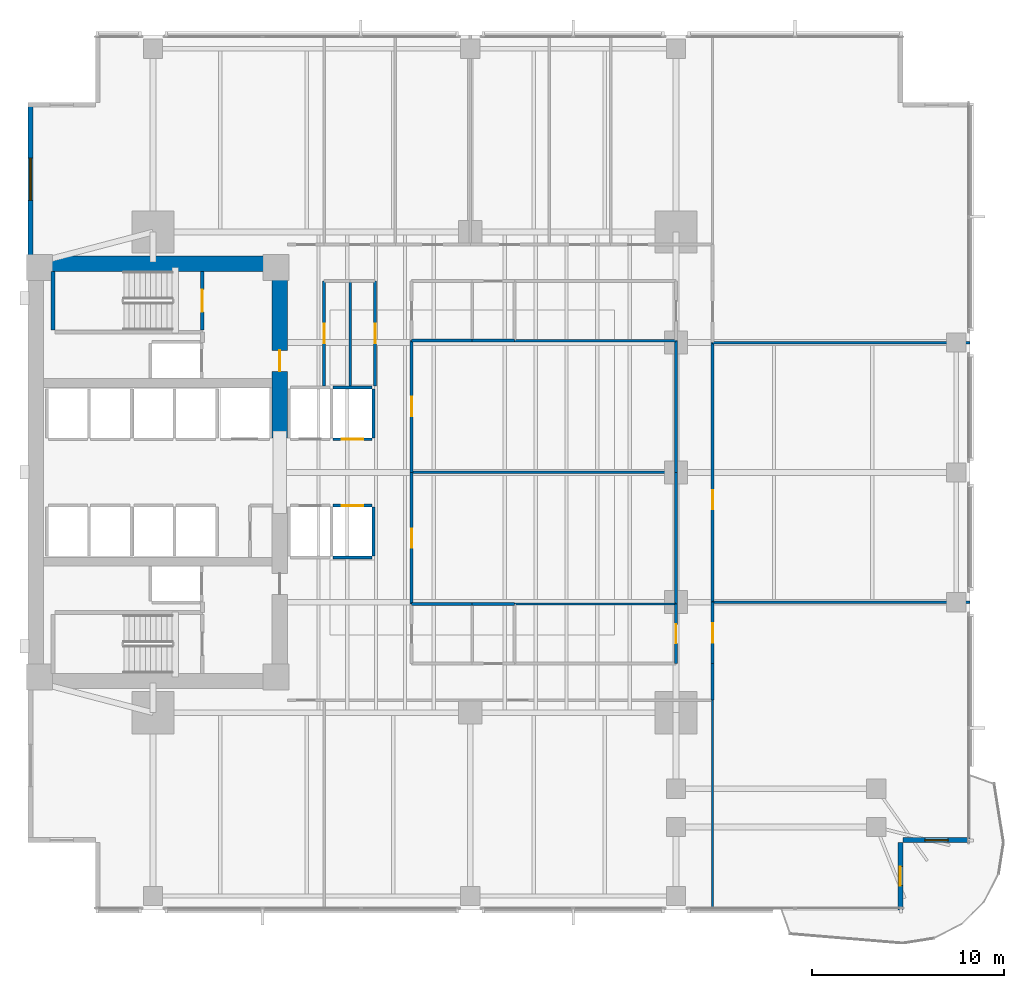
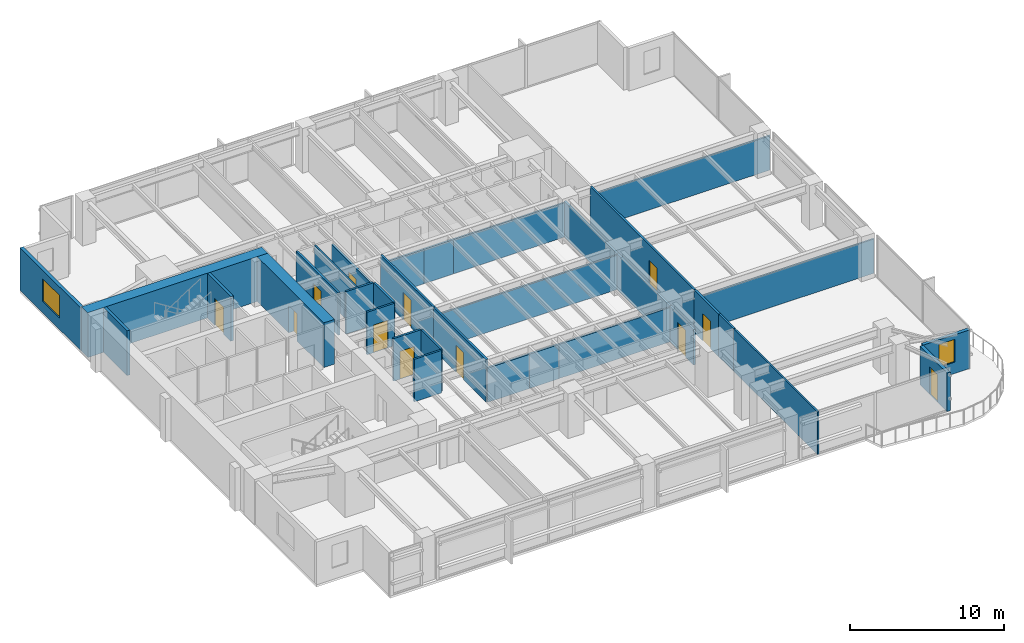
# One storey, part 9 of 15: 34 walls, 12 doors, 2 windows, 14 openings.
"""IFC4 building model written with IfcOpenShell, lengths in metres."""

from ifc_helpers import new_model, si_unit, direction, frame, frame_2d, origin, place, context, subcontext, project, spatial, rectangle, extrude, material, layer, layer_set, type_object, element, fill, save


model = new_model("IFC4")

# Units and contexts
model_context = context("Model", 3, precision=1e-05, world=origin(), true_north=direction((0.0, 1.0)))
body_context = subcontext(model_context, "Body", "Model", "MODEL_VIEW")
ifc_project = project(units=[si_unit("LENGTHUNIT", "METRE"), si_unit("AREAUNIT", "SQUARE_METRE"), si_unit("VOLUMEUNIT", "CUBIC_METRE"), si_unit("PLANEANGLEUNIT", "RADIAN"), si_unit("MASSUNIT", "GRAM", prefix="KILO")], contexts=[model_context])

# Site, building, storey
site_placement = place(None, origin())
site = spatial("IfcSite", under=ifc_project, at=site_placement, CompositionType="ELEMENT")
building_placement = place(site_placement, origin())
building = spatial("IfcBuilding", under=site, at=building_placement, Name="Kinhvarn Gate Tower", CompositionType="ELEMENT")
storey_placement = place(building_placement, frame((0.0, 0.0, 54.0)))
storey = spatial("IfcBuildingStorey", under=building, at=storey_placement, Name="L13", CompositionType="ELEMENT", Elevation=54.0)

# Wall
ifc_material_1 = material(Name="Concrete C70/85", Category="concrete")
ifc_layer_1 = layer(ifc_material_1, 0.800048828125)
ifc_layer_set_1 = layer_set([ifc_layer_1], Name="Concrete C70/85")
wall_type_1 = type_object("IfcWallType", Name="WL-CORE-800", PredefinedType="SHEAR", material=ifc_layer_set_1)
wall_1_placement = place(storey_placement, frame((4.5, 36.10009765625, 0.0), z_axis=(0.0, 0.0, 1.0), x_axis=(1.0, 0.0, 0.0)))
element("IfcWall", 1, at=wall_1_placement, inside=storey, type_object=wall_type_1, Name="Core North Shear Wall L13 800 mm", PredefinedType="SHEAR", context=body_context, shape_type="SweptSolid", body=[
    extrude(rectangle(XDim=13.5, YDim=0.800048828125, at=frame_2d((6.75, 0.0))), origin(), (0.0, 0.0, 1.0), 3.550048828125),
])

# Wall, opening, door
wall_2_placement = place(storey_placement, frame((17.60009765625, 27.050048828125, 0.0), z_axis=(0.0, 0.0, 1.0), x_axis=(0.0, 1.0, 0.0)))
wall_2 = element("IfcWall", 2, at=wall_2_placement, inside=storey, type_object=wall_type_1, Name="Core East-North Shear Pier L13 800 mm", PredefinedType="SHEAR", context=body_context, shape_type="SweptSolid", body=[
    extrude(rectangle(XDim=8.64990234375, YDim=0.800048828125, at=frame_2d((4.324951171875, 0.0))), origin(), (0.0, 0.0, 1.0), 3.550048828125),
])
opening_1_placement = place(wall_2_placement, frame((3.449951171875, 0.0, 0.0)))
opening_1 = element("IfcOpeningElement", 3, at=opening_1_placement, cuts=wall_2, Name="Opening FD-02", PredefinedType="OPENING", context=body_context, shape_type="SweptSolid", body=[
    extrude(rectangle(XDim=1.10009765625, YDim=2.14990234375, at=frame_2d((0.550048828125, 1.074951171875))), frame((0.0, 0.41015625, 0.0), z_axis=(0.0, -1.0, 0.0), x_axis=(1.0, 0.0, 0.0)), (0.0, 0.0, 1.0), 0.820068359375),
])
ifc_material_2 = material(Name="Anodised aluminium AW-6063", Category="aluminium")
door_type_1 = type_object("IfcDoorType", Name="DR-FD-1100", OperationType="NOTDEFINED", PredefinedType="DOOR", material=ifc_material_2)
door_1_placement = place(opening_1_placement, origin())
door_1 = element("IfcDoor", 4, at=door_1_placement, inside=storey, type_object=door_type_1, Name="Firefighting Lobby Core Door (L13)", OperationType="SINGLE_SWING_LEFT", OverallHeight=2.14990234375, OverallWidth=1.10009765625, PredefinedType="DOOR", context=body_context, shape_type="SweptSolid", body=[
    extrude(rectangle(XDim=1.10009765625, YDim=2.14990234375, at=frame_2d((0.550048828125, 1.074951171875))), frame((0.0, 0.02490234375, 0.0), z_axis=(0.0, -1.0, 0.0), x_axis=(1.0, 0.0, 0.0)), (0.0, 0.0, 1.0), 0.050048828125),
])
fill(opening_1, door_1)

# Wall, opening, window
ifc_material_3 = material(Name="Fired architectural terracotta", Category="masonry")
ifc_layer_2 = layer(ifc_material_3, 0.25)
ifc_layer_set_2 = layer_set([ifc_layer_2], Name="Fired architectural terracotta")
wall_type_2 = type_object("IfcWallType", Name="WL-EXT-250", PredefinedType="SOLIDWALL", material=ifc_layer_set_2)
wall_3_placement = place(storey_placement, frame((4.625, 44.5, 0.0), z_axis=(0.0, 0.0, 1.0), x_axis=(0.0, -1.0, 0.0)))
wall_3 = element("IfcWall", 5, at=wall_3_placement, inside=storey, type_object=wall_type_2, Name="Exterior Solidwall Wall EW-250 (L13 West-North)", PredefinedType="SOLIDWALL", context=body_context, shape_type="SweptSolid", body=[
    extrude(rectangle(XDim=8.0, YDim=0.25, at=frame_2d((4.0, 0.0))), origin(), (0.0, 0.0, 1.0), 3.3701171875),
])
opening_2_placement = place(wall_3_placement, frame((2.89990234375, 0.0, 0.89990234375)))
opening_2 = element("IfcOpeningElement", 6, at=opening_2_placement, cuts=wall_3, Name="Opening WN-01", PredefinedType="OPENING", context=body_context, shape_type="SweptSolid", body=[
    extrude(rectangle(XDim=2.199951171875, YDim=1.800048828125, at=frame_2d((1.10009765625, 0.89990234375))), frame((0.0, 0.135009765625, 0.0), z_axis=(0.0, -1.0, 0.0), x_axis=(1.0, 0.0, 0.0)), (0.0, 0.0, 1.0), 0.27001953125),
])
ifc_material_4 = material(Name="Clear low-e double glazing", Category="glass")
window_type_1 = type_object("IfcWindowType", Name="WIN-RIB-2200", PartitioningType="SINGLE_PANEL", PredefinedType="WINDOW", material=ifc_material_4)
window_1_placement = place(opening_2_placement, origin())
window_1 = element("IfcWindow", 7, at=window_1_placement, inside=storey, type_object=window_type_1, Name="West Flank Double-Glazed Ribbon Window 2200x1800 mm (L13)", OverallHeight=1.800048828125, OverallWidth=2.199951171875, PartitioningType="SINGLE_PANEL", PredefinedType="WINDOW", context=body_context, shape_type="SweptSolid", body=[
    extrude(rectangle(XDim=2.199951171875, YDim=1.800048828125, at=frame_2d((1.10009765625, 0.89990234375))), frame((0.0, 0.030029296875, 0.0), z_axis=(0.0, -1.0, 0.0), x_axis=(1.0, 0.0, 0.0)), (0.0, 0.0, 1.0), 0.06005859375),
])
fill(opening_2, window_1)

# Wall, opening, door
wall_4_placement = place(storey_placement, frame((49.875, 2.5, 0.0), z_axis=(0.0, 0.0, 1.0), x_axis=(0.0, 1.0, 0.0)))
wall_4 = element("IfcWall", 8, at=wall_4_placement, inside=storey, type_object=wall_type_2, Name="Exterior Solidwall Wall EW-250 (L13 SE-Notch-Door)", PredefinedType="SOLIDWALL", context=body_context, shape_type="SweptSolid", body=[
    extrude(rectangle(XDim=3.5, YDim=0.25, at=frame_2d((1.75, 0.0))), origin(), (0.0, 0.0, 1.0), 3.070068359375),
])
opening_3_placement = place(wall_4_placement, frame((1.25, 0.0, 0.0)))
opening_3 = element("IfcOpeningElement", 9, at=opening_3_placement, cuts=wall_4, Name="Opening BD-01", PredefinedType="OPENING", context=body_context, shape_type="SweptSolid", body=[
    extrude(rectangle(XDim=1.0, YDim=2.199951171875, at=frame_2d((0.5, 1.10009765625))), frame((0.0, 0.135009765625, 0.0), z_axis=(0.0, -1.0, 0.0), x_axis=(1.0, 0.0, 0.0)), (0.0, 0.0, 1.0), 0.27001953125),
])
door_type_2 = type_object("IfcDoorType", Name="DR-BAL-1000", OperationType="NOTDEFINED", PredefinedType="DOOR", material=ifc_material_4)
door_2_placement = place(opening_3_placement, frame((1.0, 0.0, 0.0), z_axis=(0.0, 0.0, 1.0), x_axis=(-1.0, 0.0, 0.0)))
door_2 = element("IfcDoor", 10, at=door_2_placement, inside=storey, type_object=door_type_2, Name="S-Carve Balcony Door BD-01 (L13)", OperationType="SINGLE_SWING_LEFT", OverallHeight=2.199951171875, OverallWidth=1.0, PredefinedType="DOOR", context=body_context, shape_type="SweptSolid", body=[
    extrude(rectangle(XDim=1.0, YDim=2.199951171875, at=frame_2d((0.5, 1.10009765625))), frame((0.0, 0.02490234375, 0.0), z_axis=(0.0, -1.0, 0.0), x_axis=(1.0, 0.0, 0.0)), (0.0, 0.0, 1.0), 0.050048828125),
])
fill(opening_3, door_2)

# Wall, opening, window
wall_5_placement = place(storey_placement, frame((50.0, 6.125, 0.0), z_axis=(0.0, 0.0, 1.0), x_axis=(1.0, 0.0, 0.0)))
wall_5 = element("IfcWall", 11, at=wall_5_placement, inside=storey, type_object=wall_type_2, Name="Exterior Solidwall Wall EW-250 (L13 SE-Notch-Win)", PredefinedType="SOLIDWALL", context=body_context, shape_type="SweptSolid", body=[
    extrude(rectangle(XDim=3.5, YDim=0.25, at=frame_2d((1.75, 0.0))), origin(), (0.0, 0.0, 1.0), 3.070068359375),
])
opening_4_placement = place(wall_5_placement, frame((1.14990234375, 0.0, 0.89990234375)))
opening_4 = element("IfcOpeningElement", 12, at=opening_4_placement, cuts=wall_5, Name="Opening WN-02", PredefinedType="OPENING", context=body_context, shape_type="SweptSolid", body=[
    extrude(rectangle(XDim=1.199951171875, YDim=1.800048828125, at=frame_2d((0.60009765625, 0.89990234375))), frame((0.0, 0.135009765625, 0.0), z_axis=(0.0, -1.0, 0.0), x_axis=(1.0, 0.0, 0.0)), (0.0, 0.0, 1.0), 0.27001953125),
])
window_type_2 = type_object("IfcWindowType", Name="WIN-NTC-1200", PartitioningType="SINGLE_PANEL", PredefinedType="WINDOW", material=ifc_material_4)
window_2_placement = place(opening_4_placement, origin())
window_2 = element("IfcWindow", 13, at=window_2_placement, inside=storey, type_object=window_type_2, Name="Recessed Corner Notch Punched Window 1200x1800 mm (L13)", OverallHeight=1.800048828125, OverallWidth=1.199951171875, PartitioningType="SINGLE_PANEL", PredefinedType="WINDOW", context=body_context, shape_type="SweptSolid", body=[
    extrude(rectangle(XDim=1.199951171875, YDim=1.800048828125, at=frame_2d((0.60009765625, 0.89990234375))), frame((0.0, 0.030029296875, 0.0), z_axis=(0.0, -1.0, 0.0), x_axis=(1.0, 0.0, 0.0)), (0.0, 0.0, 1.0), 0.06005859375),
])
fill(opening_4, window_2)

# Walls
ifc_material_5 = material(Name="Gypsum acoustic partition board")
ifc_layer_3 = layer(ifc_material_5, 0.14990234375)
ifc_layer_set_3 = layer_set([ifc_layer_3], Name="Gypsum acoustic partition board")
wall_type_3 = type_object("IfcWallType", Name="WL-PLM-150", PredefinedType="PLUMBINGWALL", material=ifc_layer_set_3)
for number, where, z_axis, x_axis, name in (
    (14, (24.449951171875, 18.39990234375, 0.0), (0.0, 0.0, 1.0), (1.0, 0.0, 0.0), "Interior Partition PLW-150 (L13)"),
    (15, (24.449951171875, 32.10009765625, 0.0), (0.0, 0.0, 1.0), (1.0, 0.0, 0.0), "Interior Partition PLW-150 (L13)"),
):
    element("IfcWall", number, at=place(storey_placement, frame(where, z_axis=z_axis, x_axis=x_axis)), inside=storey, type_object=wall_type_3, Name=name, PredefinedType="PLUMBINGWALL", context=body_context, shape_type="SweptSolid", body=[
        extrude(rectangle(XDim=3.150146484375, YDim=0.14990234375, at=frame_2d((1.5751953125, 0.0))), origin(), (0.0, 0.0, 1.0), 2.719970703125),
    ])
for number, where, z_axis, x_axis, name in (
    (16, (27.60009765625, 18.39990234375, 0.0), (0.0, 0.0, 1.0), (1.0, 0.0, 0.0), "Interior Partition PLW-150 (L13)"),
    (17, (27.60009765625, 32.10009765625, 0.0), (0.0, 0.0, 1.0), (1.0, 0.0, 0.0), "Interior Partition PLW-150 (L13)"),
):
    element("IfcWall", number, at=place(storey_placement, frame(where, z_axis=z_axis, x_axis=x_axis)), inside=storey, type_object=wall_type_3, Name=name, PredefinedType="PLUMBINGWALL", context=body_context, shape_type="SweptSolid", body=[
        extrude(rectangle(XDim=2.199951171875, YDim=0.14990234375, at=frame_2d((1.10009765625, 0.0))), origin(), (0.0, 0.0, 1.0), 2.719970703125),
    ])
ifc_layer_4 = layer(ifc_material_5, 0.1201171875)
ifc_layer_set_4 = layer_set([ifc_layer_4], Name="Gypsum acoustic partition board")
wall_type_4 = type_object("IfcWallType", Name="WL-PRT-120", PredefinedType="PARTITIONING", material=ifc_layer_set_4)
wall_6_placement = place(storey_placement, frame((21.25, 29.75, 0.0), z_axis=(0.0, 0.0, 1.0), x_axis=(0.0, 1.0, 0.0)))
element("IfcWall", 18, at=wall_6_placement, inside=storey, type_object=wall_type_4, Name="Interior Partition PW-120 (L13)", PredefinedType="PARTITIONING", context=body_context, shape_type="SweptSolid", body=[
    extrude(rectangle(XDim=5.449951171875, YDim=0.1201171875, at=frame_2d((2.72509765625, 0.0))), origin(), (0.0, 0.0, 1.0), 3.3701171875),
])
for number, where, z_axis, x_axis, name in (
    (19, (29.800048828125, 18.39990234375, 0.0), (0.0, 0.0, 1.0), (1.0, 0.0, 0.0), "Interior Partition PW-120 (L13)"),
    (20, (29.800048828125, 32.10009765625, 0.0), (0.0, 0.0, 1.0), (1.0, 0.0, 0.0), "Interior Partition PW-120 (L13)"),
):
    element("IfcWall", number, at=place(storey_placement, frame(where, z_axis=z_axis, x_axis=x_axis)), inside=storey, type_object=wall_type_4, Name=name, PredefinedType="PARTITIONING", context=body_context, shape_type="SweptSolid", body=[
        extrude(rectangle(XDim=8.39990234375, YDim=0.1201171875, at=frame_2d((4.199951171875, 0.0))), origin(), (0.0, 0.0, 1.0), 2.719970703125),
    ])
wall_7_placement = place(storey_placement, frame((24.449951171875, 25.25, 0.0), z_axis=(0.0, 0.0, 1.0), x_axis=(1.0, 0.0, 0.0)))
element("IfcWall", 21, at=wall_7_placement, inside=storey, type_object=wall_type_4, Name="Interior Partition PW-120 (L13)", PredefinedType="PARTITIONING", context=body_context, shape_type="SweptSolid", body=[
    extrude(rectangle(XDim=13.75, YDim=0.1201171875, at=frame_2d((6.875, 0.0))), origin(), (0.0, 0.0, 1.0), 2.719970703125),
])
wall_8_placement = place(storey_placement, frame((40.10009765625, 2.510009765625, 0.0), z_axis=(0.0, 0.0, 1.0), x_axis=(0.0, 1.0, 0.0)))
element("IfcWall", 22, at=wall_8_placement, inside=storey, type_object=wall_type_4, Name="Interior Partition PW-120 (L13)", PredefinedType="PARTITIONING", context=body_context, shape_type="SweptSolid", body=[
    extrude(rectangle(XDim=10.889892578125, YDim=0.1201171875, at=frame_2d((5.44482421875, 0.0))), origin(), (0.0, 0.0, 1.0), 3.3701171875),
])
for number, where, z_axis, x_axis, name in (
    (23, (40.10009765625, 18.5, 0.0), (0.0, 0.0, 1.0), (1.0, 0.0, 0.0), "Interior Partition PW-120 (L13)"),
    (24, (40.10009765625, 32.0, 0.0), (0.0, 0.0, 1.0), (1.0, 0.0, 0.0), "Interior Partition PW-120 (L13)"),
):
    element("IfcWall", number, at=place(storey_placement, frame(where, z_axis=z_axis, x_axis=x_axis)), inside=storey, type_object=wall_type_4, Name=name, PredefinedType="PARTITIONING", context=body_context, shape_type="SweptSolid", body=[
        extrude(rectangle(XDim=13.389892578125, YDim=0.1201171875, at=frame_2d((6.69482421875, 0.0))), origin(), (0.0, 0.0, 1.0), 2.719970703125),
    ])

# Wall, opening, door
ifc_layer_5 = layer(ifc_material_5, 0.14990234375)
ifc_layer_set_5 = layer_set([ifc_layer_5], Name="Gypsum acoustic partition board")
wall_type_5 = type_object("IfcWallType", Name="WL-PRT-150F", PredefinedType="PARTITIONING", material=ifc_layer_set_5)
wall_9_placement = place(storey_placement, frame((22.550048828125, 29.75, 0.0), z_axis=(0.0, 0.0, 1.0), x_axis=(0.0, 1.0, 0.0)))
wall_9 = element("IfcWall", 25, at=wall_9_placement, inside=storey, type_object=wall_type_5, Name="Interior Partition PW-150F (L13)", PredefinedType="PARTITIONING", context=body_context, shape_type="SweptSolid", body=[
    extrude(rectangle(XDim=5.449951171875, YDim=0.14990234375, at=frame_2d((2.72509765625, 0.0))), origin(), (0.0, 0.0, 1.0), 3.010009765625),
])
opening_5_placement = place(wall_9_placement, frame((2.22509765625, 0.0, 0.0)))
opening_5 = element("IfcOpeningElement", 26, at=opening_5_placement, cuts=wall_9, Name="Opening ID-02", PredefinedType="OPENING", context=body_context, shape_type="SweptSolid", body=[
    extrude(rectangle(XDim=1.0, YDim=2.14990234375, at=frame_2d((0.5, 1.074951171875))), frame((0.0, 0.0849609375, 0.0), z_axis=(0.0, -1.0, 0.0), x_axis=(1.0, 0.0, 0.0)), (0.0, 0.0, 1.0), 0.169921875),
])
door_type_3 = type_object("IfcDoorType", Name="DR-INT-1000", OperationType="NOTDEFINED", PredefinedType="DOOR", material=ifc_material_2)
door_3_placement = place(opening_5_placement, origin())
door_3 = element("IfcDoor", 27, at=door_3_placement, inside=storey, type_object=door_type_3, Name="Standard Office & Meeting Room Door 1000x2150 mm (L13)", OperationType="SINGLE_SWING_LEFT", OverallHeight=2.14990234375, OverallWidth=1.0, PredefinedType="DOOR", context=body_context, shape_type="SweptSolid", body=[
    extrude(rectangle(XDim=1.0, YDim=2.14990234375, at=frame_2d((0.5, 1.074951171875))), frame((0.0, 0.02490234375, 0.0), z_axis=(0.0, -1.0, 0.0), x_axis=(1.0, 0.0, 0.0)), (0.0, 0.0, 1.0), 0.050048828125),
])
fill(opening_5, door_3)

wall_10_placement = place(storey_placement, frame((24.449951171875, 18.39990234375, 0.0), z_axis=(0.0, 0.0, 1.0), x_axis=(0.0, 1.0, 0.0)))
wall_10 = element("IfcWall", 28, at=wall_10_placement, inside=storey, type_object=wall_type_5, Name="Interior Partition PW-150F (L13)", PredefinedType="PARTITIONING", context=body_context, shape_type="SweptSolid", body=[
    extrude(rectangle(XDim=6.85009765625, YDim=0.14990234375, at=frame_2d((3.425048828125, 0.0))), origin(), (0.0, 0.0, 1.0), 3.3701171875),
])
opening_6_placement = place(wall_10_placement, frame((2.925048828125, 0.0, 0.0)))
opening_6 = element("IfcOpeningElement", 29, at=opening_6_placement, cuts=wall_10, Name="Opening ID-02", PredefinedType="OPENING", context=body_context, shape_type="SweptSolid", body=[
    extrude(rectangle(XDim=1.0, YDim=2.14990234375, at=frame_2d((0.5, 1.074951171875))), frame((0.0, 0.0849609375, 0.0), z_axis=(0.0, -1.0, 0.0), x_axis=(1.0, 0.0, 0.0)), (0.0, 0.0, 1.0), 0.169921875),
])
door_4_placement = place(opening_6_placement, origin())
door_4 = element("IfcDoor", 30, at=door_4_placement, inside=storey, type_object=door_type_3, Name="Standard Office & Meeting Room Door 1000x2150 mm (L13)", OperationType="SINGLE_SWING_RIGHT", OverallHeight=2.14990234375, OverallWidth=1.0, PredefinedType="DOOR", context=body_context, shape_type="SweptSolid", body=[
    extrude(rectangle(XDim=1.0, YDim=2.14990234375, at=frame_2d((0.5, 1.074951171875))), frame((0.0, 0.02490234375, 0.0), z_axis=(0.0, -1.0, 0.0), x_axis=(1.0, 0.0, 0.0)), (0.0, 0.0, 1.0), 0.050048828125),
])
fill(opening_6, door_4)

wall_11_placement = place(storey_placement, frame((24.449951171875, 25.25, 0.0), z_axis=(0.0, 0.0, 1.0), x_axis=(0.0, 1.0, 0.0)))
wall_11 = element("IfcWall", 31, at=wall_11_placement, inside=storey, type_object=wall_type_5, Name="Interior Partition PW-150F (L13)", PredefinedType="PARTITIONING", context=body_context, shape_type="SweptSolid", body=[
    extrude(rectangle(XDim=6.85009765625, YDim=0.14990234375, at=frame_2d((3.425048828125, 0.0))), origin(), (0.0, 0.0, 1.0), 3.3701171875),
])
opening_7_placement = place(wall_11_placement, frame((2.925048828125, 0.0, 0.0)))
opening_7 = element("IfcOpeningElement", 32, at=opening_7_placement, cuts=wall_11, Name="Opening ID-02", PredefinedType="OPENING", context=body_context, shape_type="SweptSolid", body=[
    extrude(rectangle(XDim=1.0, YDim=2.14990234375, at=frame_2d((0.5, 1.074951171875))), frame((0.0, 0.0849609375, 0.0), z_axis=(0.0, -1.0, 0.0), x_axis=(1.0, 0.0, 0.0)), (0.0, 0.0, 1.0), 0.169921875),
])
door_5_placement = place(opening_7_placement, origin())
door_5 = element("IfcDoor", 33, at=door_5_placement, inside=storey, type_object=door_type_3, Name="Standard Office & Meeting Room Door 1000x2150 mm (L13)", OperationType="SINGLE_SWING_LEFT", OverallHeight=2.14990234375, OverallWidth=1.0, PredefinedType="DOOR", context=body_context, shape_type="SweptSolid", body=[
    extrude(rectangle(XDim=1.0, YDim=2.14990234375, at=frame_2d((0.5, 1.074951171875))), frame((0.0, 0.02490234375, 0.0), z_axis=(0.0, -1.0, 0.0), x_axis=(1.0, 0.0, 0.0)), (0.0, 0.0, 1.0), 0.050048828125),
])
fill(opening_7, door_5)

wall_12_placement = place(storey_placement, frame((19.89990234375, 29.75, 0.0), z_axis=(0.0, 0.0, 1.0), x_axis=(0.0, 1.0, 0.0)))
wall_12 = element("IfcWall", 34, at=wall_12_placement, inside=storey, type_object=wall_type_5, Name="Interior Partition PW-150F (L13)", PredefinedType="PARTITIONING", context=body_context, shape_type="SweptSolid", body=[
    extrude(rectangle(XDim=5.449951171875, YDim=0.14990234375, at=frame_2d((2.72509765625, 0.0))), origin(), (0.0, 0.0, 1.0), 3.3701171875),
])
opening_8_placement = place(wall_12_placement, frame((2.22509765625, 0.0, 0.0)))
opening_8 = element("IfcOpeningElement", 35, at=opening_8_placement, cuts=wall_12, Name="Opening ID-02", PredefinedType="OPENING", context=body_context, shape_type="SweptSolid", body=[
    extrude(rectangle(XDim=1.0, YDim=2.14990234375, at=frame_2d((0.5, 1.074951171875))), frame((0.0, 0.0849609375, 0.0), z_axis=(0.0, -1.0, 0.0), x_axis=(1.0, 0.0, 0.0)), (0.0, 0.0, 1.0), 0.169921875),
])
door_6_placement = place(opening_8_placement, origin())
door_6 = element("IfcDoor", 36, at=door_6_placement, inside=storey, type_object=door_type_3, Name="Standard Office & Meeting Room Door 1000x2150 mm (L13)", OperationType="SINGLE_SWING_RIGHT", OverallHeight=2.14990234375, OverallWidth=1.0, PredefinedType="DOOR", context=body_context, shape_type="SweptSolid", body=[
    extrude(rectangle(XDim=1.0, YDim=2.14990234375, at=frame_2d((0.5, 1.074951171875))), frame((0.0, 0.02490234375, 0.0), z_axis=(0.0, -1.0, 0.0), x_axis=(1.0, 0.0, 0.0)), (0.0, 0.0, 1.0), 0.050048828125),
])
fill(opening_8, door_6)

# Wall
wall_13_placement = place(storey_placement, frame((40.10009765625, 13.39990234375, 0.0), z_axis=(0.0, 0.0, 1.0), x_axis=(0.0, 1.0, 0.0)))
element("IfcWall", 37, at=wall_13_placement, inside=storey, type_object=wall_type_5, Name="Interior Partition PW-150F (L13)", PredefinedType="PARTITIONING", context=body_context, shape_type="SweptSolid", body=[
    extrude(rectangle(XDim=1.900146484375, YDim=0.14990234375, at=frame_2d((0.9501953125, 0.0))), origin(), (0.0, 0.0, 1.0), 3.3701171875),
])

# Wall, opening, door
wall_14_placement = place(storey_placement, frame((38.199951171875, 15.300048828125, 0.0), z_axis=(0.0, 0.0, 1.0), x_axis=(0.0, 1.0, 0.0)))
wall_14 = element("IfcWall", 38, at=wall_14_placement, inside=storey, type_object=wall_type_5, Name="Interior Partition PW-150F (L13)", PredefinedType="PARTITIONING", context=body_context, shape_type="SweptSolid", body=[
    extrude(rectangle(XDim=3.099853515625, YDim=0.14990234375, at=frame_2d((1.5498046875, 0.0))), origin(), (0.0, 0.0, 1.0), 2.820068359375),
])
opening_9_placement = place(wall_14_placement, frame((1.050048828125, 0.0, 0.0)))
opening_9 = element("IfcOpeningElement", 39, at=opening_9_placement, cuts=wall_14, Name="Opening ID-02", PredefinedType="OPENING", context=body_context, shape_type="SweptSolid", body=[
    extrude(rectangle(XDim=1.0, YDim=2.14990234375, at=frame_2d((0.5, 1.074951171875))), frame((0.0, 0.0849609375, 0.0), z_axis=(0.0, -1.0, 0.0), x_axis=(1.0, 0.0, 0.0)), (0.0, 0.0, 1.0), 0.169921875),
])
door_7_placement = place(opening_9_placement, origin())
door_7 = element("IfcDoor", 40, at=door_7_placement, inside=storey, type_object=door_type_3, Name="Standard Office & Meeting Room Door 1000x2150 mm (L13)", OperationType="SINGLE_SWING_LEFT", OverallHeight=2.14990234375, OverallWidth=1.0, PredefinedType="DOOR", context=body_context, shape_type="SweptSolid", body=[
    extrude(rectangle(XDim=1.0, YDim=2.14990234375, at=frame_2d((0.5, 1.074951171875))), frame((0.0, 0.02490234375, 0.0), z_axis=(0.0, -1.0, 0.0), x_axis=(1.0, 0.0, 0.0)), (0.0, 0.0, 1.0), 0.050048828125),
])
fill(opening_9, door_7)

# Walls
for number, where, z_axis, x_axis, name in (
    (41, (38.199951171875, 18.39990234375, 0.0), (0.0, 0.0, 1.0), (0.0, 1.0, 0.0), "Interior Partition PW-150F (L13)"),
    (42, (38.199951171875, 25.25, 0.0), (0.0, 0.0, 1.0), (0.0, 1.0, 0.0), "Interior Partition PW-150F (L13)"),
):
    element("IfcWall", number, at=place(storey_placement, frame(where, z_axis=z_axis, x_axis=x_axis)), inside=storey, type_object=wall_type_5, Name=name, PredefinedType="PARTITIONING", context=body_context, shape_type="SweptSolid", body=[
        extrude(rectangle(XDim=6.85009765625, YDim=0.14990234375, at=frame_2d((3.425048828125, 0.0))), origin(), (0.0, 0.0, 1.0), 2.820068359375),
    ])

# Wall, opening, door
wall_15_placement = place(storey_placement, frame((40.10009765625, 15.300048828125, 0.0), z_axis=(0.0, 0.0, 1.0), x_axis=(0.0, 1.0, 0.0)))
wall_15 = element("IfcWall", 43, at=wall_15_placement, inside=storey, type_object=wall_type_5, Name="Interior Partition PW-150F (L13)", PredefinedType="PARTITIONING", context=body_context, shape_type="SweptSolid", body=[
    extrude(rectangle(XDim=3.199951171875, YDim=0.14990234375, at=frame_2d((1.60009765625, 0.0))), origin(), (0.0, 0.0, 1.0), 3.3701171875),
])
opening_10_placement = place(wall_15_placement, frame((1.10009765625, 0.0, 0.0)))
opening_10 = element("IfcOpeningElement", 44, at=opening_10_placement, cuts=wall_15, Name="Opening ID-02", PredefinedType="OPENING", context=body_context, shape_type="SweptSolid", body=[
    extrude(rectangle(XDim=1.0, YDim=2.14990234375, at=frame_2d((0.5, 1.074951171875))), frame((0.0, 0.0849609375, 0.0), z_axis=(0.0, -1.0, 0.0), x_axis=(1.0, 0.0, 0.0)), (0.0, 0.0, 1.0), 0.169921875),
])
door_8_placement = place(opening_10_placement, origin())
door_8 = element("IfcDoor", 45, at=door_8_placement, inside=storey, type_object=door_type_3, Name="Standard Office & Meeting Room Door 1000x2150 mm (L13)", OperationType="SINGLE_SWING_LEFT", OverallHeight=2.14990234375, OverallWidth=1.0, PredefinedType="DOOR", context=body_context, shape_type="SweptSolid", body=[
    extrude(rectangle(XDim=1.0, YDim=2.14990234375, at=frame_2d((0.5, 1.074951171875))), frame((0.0, 0.02490234375, 0.0), z_axis=(0.0, -1.0, 0.0), x_axis=(1.0, 0.0, 0.0)), (0.0, 0.0, 1.0), 0.050048828125),
])
fill(opening_10, door_8)

wall_16_placement = place(storey_placement, frame((40.10009765625, 18.5, 0.0), z_axis=(0.0, 0.0, 1.0), x_axis=(0.0, 1.0, 0.0)))
wall_16 = element("IfcWall", 46, at=wall_16_placement, inside=storey, type_object=wall_type_5, Name="Interior Partition PW-150F (L13)", PredefinedType="PARTITIONING", context=body_context, shape_type="SweptSolid", body=[
    extrude(rectangle(XDim=13.5, YDim=0.14990234375, at=frame_2d((6.75, 0.0))), origin(), (0.0, 0.0, 1.0), 3.3701171875),
])
opening_11_placement = place(wall_16_placement, frame((4.825927734375, 0.0, 0.0)))
opening_11 = element("IfcOpeningElement", 47, at=opening_11_placement, cuts=wall_16, Name="Opening ID-02", PredefinedType="OPENING", context=body_context, shape_type="SweptSolid", body=[
    extrude(rectangle(XDim=1.0, YDim=2.14990234375, at=frame_2d((0.5, 1.074951171875))), frame((0.0, 0.0849609375, 0.0), z_axis=(0.0, -1.0, 0.0), x_axis=(1.0, 0.0, 0.0)), (0.0, 0.0, 1.0), 0.169921875),
])
door_9_placement = place(opening_11_placement, origin())
door_9 = element("IfcDoor", 48, at=door_9_placement, inside=storey, type_object=door_type_3, Name="Standard Office & Meeting Room Door 1000x2150 mm (L13)", OperationType="SINGLE_SWING_RIGHT", OverallHeight=2.14990234375, OverallWidth=1.0, PredefinedType="DOOR", context=body_context, shape_type="SweptSolid", body=[
    extrude(rectangle(XDim=1.0, YDim=2.14990234375, at=frame_2d((0.5, 1.074951171875))), frame((0.0, 0.02490234375, 0.0), z_axis=(0.0, -1.0, 0.0), x_axis=(1.0, 0.0, 0.0)), (0.0, 0.0, 1.0), 0.050048828125),
])
fill(opening_11, door_9)

# Wall
ifc_layer_6 = layer(ifc_material_5, 0.14990234375)
ifc_layer_set_6 = layer_set([ifc_layer_6], Name="Gypsum acoustic partition board")
wall_type_6 = type_object("IfcWallType", Name="WL-SHF-150", PredefinedType="PARTITIONING", material=ifc_layer_set_6)
wall_17_placement = place(storey_placement, frame((20.35009765625, 20.824951171875, 0.0), z_axis=(0.0, 0.0, 1.0), x_axis=(1.0, 0.0, 0.0)))
element("IfcWall", 49, at=wall_17_placement, inside=storey, type_object=wall_type_6, Name="Elevator PL-02 Hoistway Wall S (L13)", PredefinedType="PARTITIONING", context=body_context, shape_type="SweptSolid", body=[
    extrude(rectangle(XDim=2.0498046875, YDim=0.14990234375, at=frame_2d((1.02490234375, 0.0))), origin(), (0.0, 0.0, 1.0), 3.3701171875),
])

# Wall, opening, door
wall_18_placement = place(storey_placement, frame((20.35009765625, 23.52490234375, 0.0), z_axis=(0.0, 0.0, 1.0), x_axis=(1.0, 0.0, 0.0)))
wall_18 = element("IfcWall", 50, at=wall_18_placement, inside=storey, type_object=wall_type_6, Name="Elevator PL-02 Landing Wall (L13)", PredefinedType="PARTITIONING", context=body_context, shape_type="SweptSolid", body=[
    extrude(rectangle(XDim=2.0498046875, YDim=0.14990234375, at=frame_2d((1.02490234375, 0.0))), origin(), (0.0, 0.0, 1.0), 3.3701171875),
])
opening_12_placement = place(wall_18_placement, frame((0.47509765625, 0.0, 0.0)))
opening_12 = element("IfcOpeningElement", 51, at=opening_12_placement, cuts=wall_18, Name="Opening LD-01", PredefinedType="OPENING", context=body_context, shape_type="SweptSolid", body=[
    extrude(rectangle(XDim=1.10009765625, YDim=2.199951171875, at=frame_2d((0.550048828125, 1.10009765625))), frame((0.0, 0.0849609375, 0.0), z_axis=(0.0, -1.0, 0.0), x_axis=(1.0, 0.0, 0.0)), (0.0, 0.0, 1.0), 0.169921875),
])
door_type_4 = type_object("IfcDoorType", Name="DR-LND-PAS", OperationType="NOTDEFINED", PredefinedType="DOOR", material=ifc_material_2)
door_10_placement = place(opening_12_placement, origin())
door_10 = element("IfcDoor", 52, at=door_10_placement, inside=storey, type_object=door_type_4, Name="Elevator PL-02 Sliding Landing Door (L13)", OperationType="DOUBLE_DOOR_SLIDING", OverallHeight=2.199951171875, OverallWidth=1.10009765625, PredefinedType="DOOR", context=body_context, shape_type="SweptSolid", body=[
    extrude(rectangle(XDim=1.10009765625, YDim=2.199951171875, at=frame_2d((0.550048828125, 1.10009765625))), frame((0.0, 0.02490234375, 0.0), z_axis=(0.0, -1.0, 0.0), x_axis=(1.0, 0.0, 0.0)), (0.0, 0.0, 1.0), 0.050048828125),
])
fill(opening_12, door_10)

# Wall
wall_19_placement = place(storey_placement, frame((22.47509765625, 20.89990234375, 0.0), z_axis=(0.0, 0.0, 1.0), x_axis=(0.0, 1.0, 0.0)))
element("IfcWall", 53, at=wall_19_placement, inside=storey, type_object=wall_type_6, Name="Elevator PL-02 Hoistway Wall E (L13)", PredefinedType="PARTITIONING", context=body_context, shape_type="SweptSolid", body=[
    extrude(rectangle(XDim=2.550048828125, YDim=0.14990234375, at=frame_2d((1.27490234375, 0.0))), origin(), (0.0, 0.0, 1.0), 3.3701171875),
])

# Wall, opening, door
wall_20_placement = place(storey_placement, frame((20.35009765625, 26.97509765625, 0.0), z_axis=(0.0, 0.0, 1.0), x_axis=(1.0, 0.0, 0.0)))
wall_20 = element("IfcWall", 54, at=wall_20_placement, inside=storey, type_object=wall_type_6, Name="Elevator PL-04 Landing Wall (L13)", PredefinedType="PARTITIONING", context=body_context, shape_type="SweptSolid", body=[
    extrude(rectangle(XDim=2.0498046875, YDim=0.14990234375, at=frame_2d((1.02490234375, 0.0))), origin(), (0.0, 0.0, 1.0), 3.3701171875),
])
opening_13_placement = place(wall_20_placement, frame((0.47509765625, 0.0, 0.0)))
opening_13 = element("IfcOpeningElement", 55, at=opening_13_placement, cuts=wall_20, Name="Opening LD-01", PredefinedType="OPENING", context=body_context, shape_type="SweptSolid", body=[
    extrude(rectangle(XDim=1.10009765625, YDim=2.199951171875, at=frame_2d((0.550048828125, 1.10009765625))), frame((0.0, 0.0849609375, 0.0), z_axis=(0.0, -1.0, 0.0), x_axis=(1.0, 0.0, 0.0)), (0.0, 0.0, 1.0), 0.169921875),
])
door_11_placement = place(opening_13_placement, origin())
door_11 = element("IfcDoor", 56, at=door_11_placement, inside=storey, type_object=door_type_4, Name="Elevator PL-04 Sliding Landing Door (L13)", OperationType="DOUBLE_DOOR_SLIDING", OverallHeight=2.199951171875, OverallWidth=1.10009765625, PredefinedType="DOOR", context=body_context, shape_type="SweptSolid", body=[
    extrude(rectangle(XDim=1.10009765625, YDim=2.199951171875, at=frame_2d((0.550048828125, 1.10009765625))), frame((0.0, 0.02490234375, 0.0), z_axis=(0.0, -1.0, 0.0), x_axis=(1.0, 0.0, 0.0)), (0.0, 0.0, 1.0), 0.050048828125),
])
fill(opening_13, door_11)

# Walls
wall_21_placement = place(storey_placement, frame((20.35009765625, 29.675048828125, 0.0), z_axis=(0.0, 0.0, 1.0), x_axis=(1.0, 0.0, 0.0)))
element("IfcWall", 57, at=wall_21_placement, inside=storey, type_object=wall_type_6, Name="Elevator PL-04 Hoistway Wall N (L13)", PredefinedType="PARTITIONING", context=body_context, shape_type="SweptSolid", body=[
    extrude(rectangle(XDim=2.0498046875, YDim=0.14990234375, at=frame_2d((1.02490234375, 0.0))), origin(), (0.0, 0.0, 1.0), 3.3701171875),
])
wall_22_placement = place(storey_placement, frame((22.47509765625, 27.050048828125, 0.0), z_axis=(0.0, 0.0, 1.0), x_axis=(0.0, 1.0, 0.0)))
element("IfcWall", 58, at=wall_22_placement, inside=storey, type_object=wall_type_6, Name="Elevator PL-04 Hoistway Wall E (L13)", PredefinedType="PARTITIONING", context=body_context, shape_type="SweptSolid", body=[
    extrude(rectangle(XDim=2.550048828125, YDim=0.14990234375, at=frame_2d((1.27490234375, 0.0))), origin(), (0.0, 0.0, 1.0), 3.3701171875),
])
ifc_material_6 = material(Name="Concrete C40/50", Category="concrete")
ifc_layer_7 = layer(ifc_material_6, 0.199951171875)
ifc_layer_set_7 = layer_set([ifc_layer_7], Name="Concrete C40/50")
wall_type_7 = type_object("IfcWallType", Name="WL-SHF-200", PredefinedType="SOLIDWALL", material=ifc_layer_set_7)
wall_23_placement = place(storey_placement, frame((5.7900390625, 32.64990234375, 0.0), z_axis=(0.0, 0.0, 1.0), x_axis=(0.0, 1.0, 0.0)))
element("IfcWall", 59, at=wall_23_placement, inside=storey, type_object=wall_type_7, Name="Stair ST2 West Shaft Wall (L13)", PredefinedType="SOLIDWALL", context=body_context, shape_type="SweptSolid", body=[
    extrude(rectangle(XDim=3.050048828125, YDim=0.199951171875, at=frame_2d((1.52490234375, 0.0))), origin(), (0.0, 0.0, 1.0), 3.550048828125),
])

# Wall, opening, door
wall_24_placement = place(storey_placement, frame((13.56005859375, 32.64990234375, 0.0), z_axis=(0.0, 0.0, 1.0), x_axis=(0.0, 1.0, 0.0)))
wall_24 = element("IfcWall", 60, at=wall_24_placement, inside=storey, type_object=wall_type_7, Name="Stair ST2 East Entry Wall (L13)", PredefinedType="SOLIDWALL", context=body_context, shape_type="SweptSolid", body=[
    extrude(rectangle(XDim=3.050048828125, YDim=0.199951171875, at=frame_2d((1.52490234375, 0.0))), origin(), (0.0, 0.0, 1.0), 3.550048828125),
])
opening_14_placement = place(wall_24_placement, frame((0.949951171875, 0.0, 0.0)))
opening_14 = element("IfcOpeningElement", 61, at=opening_14_placement, cuts=wall_24, Name="Opening FD-01", PredefinedType="OPENING", context=body_context, shape_type="SweptSolid", body=[
    extrude(rectangle(XDim=1.14990234375, YDim=2.14990234375, at=frame_2d((0.574951171875, 1.074951171875))), frame((0.0, 0.10986328125, 0.0), z_axis=(0.0, -1.0, 0.0), x_axis=(1.0, 0.0, 0.0)), (0.0, 0.0, 1.0), 0.219970703125),
])
door_type_5 = type_object("IfcDoorType", Name="DR-ST-1150", OperationType="NOTDEFINED", PredefinedType="DOOR", material=ifc_material_2)
door_12_placement = place(opening_14_placement, origin())
door_12 = element("IfcDoor", 62, at=door_12_placement, inside=storey, type_object=door_type_5, Name="Exit Stair ST2 Fire Door (L13)", OperationType="SINGLE_SWING_RIGHT", OverallHeight=2.14990234375, OverallWidth=1.14990234375, PredefinedType="DOOR", context=body_context, shape_type="SweptSolid", body=[
    extrude(rectangle(XDim=1.14990234375, YDim=2.14990234375, at=frame_2d((0.574951171875, 1.074951171875))), frame((0.0, 0.02490234375, 0.0), z_axis=(0.0, -1.0, 0.0), x_axis=(1.0, 0.0, 0.0)), (0.0, 0.0, 1.0), 0.050048828125),
])
fill(opening_14, door_12)

save(model, "model.ifc")
